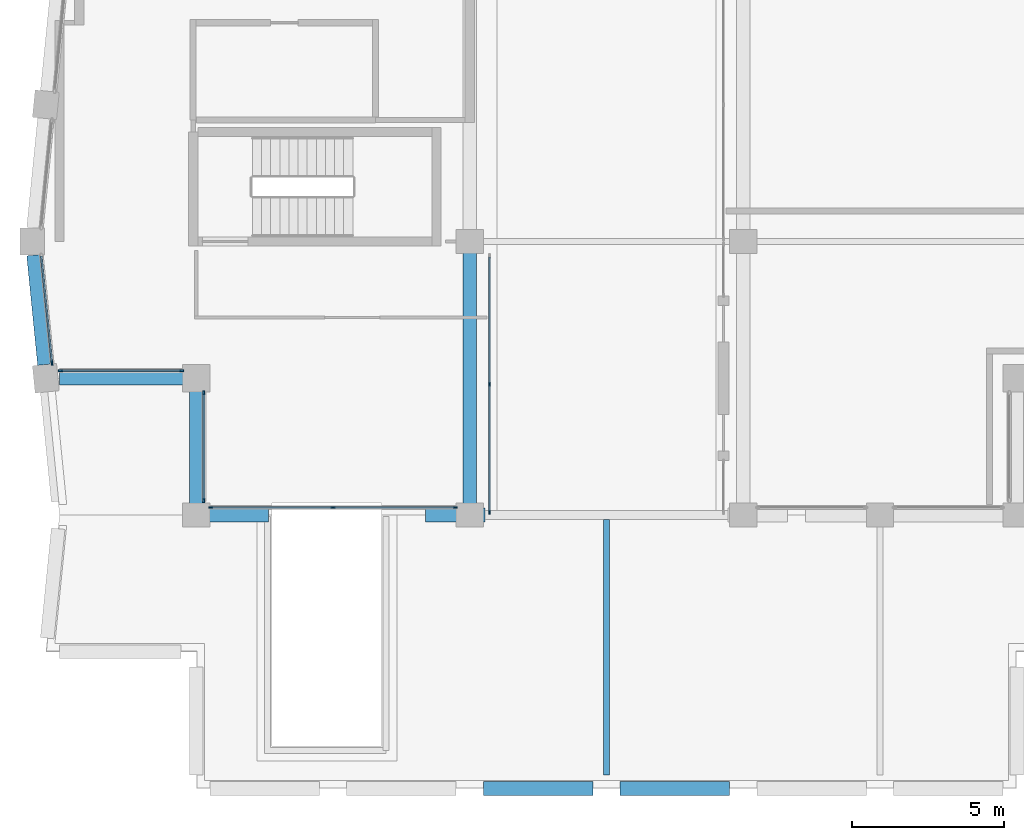
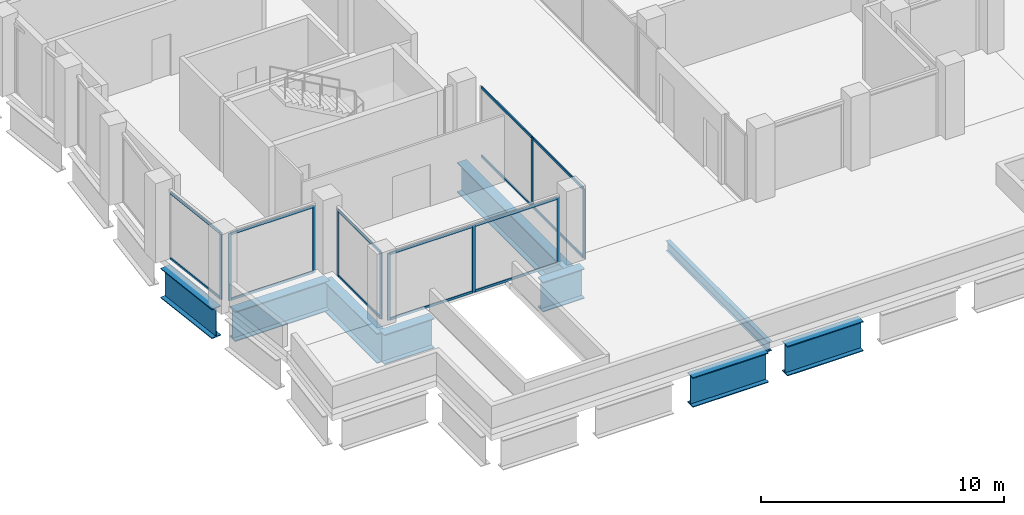
# One storey, part 2 of 14: 24 members, 9 beams, 5 elements without a shape of their own.
"""IFC4 building model written with IfcOpenShell, lengths in metres."""

from ifc_helpers import new_model, si_unit, direction, frame, origin, origin_2d, place, context, subcontext, project, spatial, rectangle, i_section, extrude, material, material_profile, profile_set, type_object, element, aggregate, save


model = new_model("IFC4")

# Units and contexts
model_context = context("Model", 3, precision=1e-05, world=origin(), true_north=direction((0.0, 1.0)))
body_context = subcontext(model_context, "Body", "Model", "MODEL_VIEW")
ifc_project = project(units=[si_unit("LENGTHUNIT", "METRE"), si_unit("AREAUNIT", "SQUARE_METRE"), si_unit("VOLUMEUNIT", "CUBIC_METRE"), si_unit("PLANEANGLEUNIT", "RADIAN"), si_unit("MASSUNIT", "GRAM", prefix="KILO")], contexts=[model_context])

# Site, building, storey
site_placement = place(None, origin())
site = spatial("IfcSite", under=ifc_project, at=site_placement, CompositionType="ELEMENT")
building_placement = place(site_placement, origin())
building = spatial("IfcBuilding", under=site, at=building_placement, Name="Brondeck Convention Tower", CompositionType="ELEMENT")
storey_placement = place(building_placement, frame((0.0, 0.0, 282.800048828125)))
storey = spatial("IfcBuildingStorey", under=building, at=storey_placement, Name="L70", CompositionType="ELEMENT", Elevation=282.800048828125)

# Curtain wall, members
ifc_material_1 = material(Name="Aluminium, bronze anodised", Category="aluminium")
curtain_wall_type = type_object("IfcCurtainWallType", Name="Crown screen curtain wall", PredefinedType="NOTDEFINED", material=ifc_material_1)
curtain_wall_1_placement = place(storey_placement, origin())
curtain_wall_1 = element("IfcCurtainWall", 1, at=curtain_wall_1_placement, inside=storey, type_object=curtain_wall_type, Name="ENV-CW4-L70-K1-K-S-02", PredefinedType="NOTDEFINED")
ifc_material_profile_1 = material_profile(ifc_material_1, rectangle(XDim=0.06005859375, YDim=0.139892578125, at=origin_2d()), Name="CW4 mullion")
ifc_profile_set_1 = profile_set([ifc_material_profile_1], Name="Aluminium, bronze anodised")
member_type_1 = type_object("IfcMemberType", Name="CW4 mullion", PredefinedType="MULLION", material=ifc_profile_set_1)
member_1_placement = place(storey_placement, frame((13.02001953125, 27.25, 0.0), z_axis=(0.0, 0.0, 1.0), x_axis=(0.0, -1.0, 0.0)))
member_1 = element("IfcMember", 2, at=member_1_placement, type_object=member_type_1, Name="CW4 mullion 1", PredefinedType="MULLION", context=body_context, shape_type="SweptSolid", body=[
    extrude(rectangle(XDim=0.06005859375, YDim=0.139892578125, at=origin_2d()), origin(), (0.0, 0.0, 1.0), 3.349853515625),
])
member_2_placement = place(storey_placement, frame((9.0, 27.25, 0.0), z_axis=(0.0, 0.0, 1.0), x_axis=(0.0, -1.0, 0.0)))
member_2 = element("IfcMember", 3, at=member_2_placement, type_object=member_type_1, Name="CW4 mullion 2", PredefinedType="MULLION", context=body_context, shape_type="SweptSolid", body=[
    extrude(rectangle(XDim=0.06005859375, YDim=0.139892578125, at=origin_2d()), origin(), (0.0, 0.0, 1.0), 3.349853515625),
])
member_3_placement = place(storey_placement, frame((4.97998046875, 27.25, 0.0), z_axis=(0.0, 0.0, 1.0), x_axis=(0.0, -1.0, 0.0)))
member_3 = element("IfcMember", 4, at=member_3_placement, type_object=member_type_1, Name="CW4 mullion 3", PredefinedType="MULLION", context=body_context, shape_type="SweptSolid", body=[
    extrude(rectangle(XDim=0.06005859375, YDim=0.139892578125, at=origin_2d()), origin(), (0.0, 0.0, 1.0), 3.349853515625),
])

curtain_wall_2_placement = place(storey_placement, origin())
curtain_wall_2 = element("IfcCurtainWall", 5, at=curtain_wall_2_placement, inside=storey, type_object=curtain_wall_type, Name="ENV-CW4-L70-K1-SLOT-W-00-2", PredefinedType="NOTDEFINED")
member_4_placement = place(storey_placement, frame((14.14990234375, 31.304931640625, 0.0), z_axis=(0.0, 0.0, 1.0), x_axis=(1.0, 0.0, 0.0)))
member_4 = element("IfcMember", 6, at=member_4_placement, type_object=member_type_1, Name="CW4 mullion 2", PredefinedType="MULLION", context=body_context, shape_type="SweptSolid", body=[
    extrude(rectangle(XDim=0.06005859375, YDim=0.139892578125, at=origin_2d()), origin(), (0.0, 0.0, 1.0), 3.5),
])
member_5_placement = place(storey_placement, frame((14.14990234375, 27.090087890625, 0.0), z_axis=(0.0, 0.0, 1.0), x_axis=(1.0, 0.0, 0.0)))
member_5 = element("IfcMember", 7, at=member_5_placement, type_object=member_type_1, Name="CW4 mullion 3", PredefinedType="MULLION", context=body_context, shape_type="SweptSolid", body=[
    extrude(rectangle(XDim=0.06005859375, YDim=0.139892578125, at=origin_2d()), origin(), (0.0, 0.0, 1.0), 3.5),
])

# Curtain wall, member
curtain_wall_3_placement = place(storey_placement, origin())
curtain_wall_3 = element("IfcCurtainWall", 8, at=curtain_wall_3_placement, inside=storey, type_object=curtain_wall_type, Name="ENV-CW4-L70-K1-B-W-06", PredefinedType="NOTDEFINED")
member_6_placement = place(storey_placement, frame((-0.2490234375, 32.00244140625, 0.0), z_axis=(0.0, 0.0, 1.0), x_axis=(-0.995035823513, -0.099517385048, 0.0)))
member_6 = element("IfcMember", 9, at=member_6_placement, type_object=member_type_1, Name="CW4 mullion 1", PredefinedType="MULLION", context=body_context, shape_type="SweptSolid", body=[
    extrude(rectangle(XDim=0.06005859375, YDim=0.139892578125, at=origin_2d()), origin(), (0.0, 0.0, 1.0), 3.349853515625),
])

# Curtain wall, members
curtain_wall_4_placement = place(storey_placement, origin())
curtain_wall_4 = element("IfcCurtainWall", 10, at=curtain_wall_4_placement, inside=storey, type_object=curtain_wall_type, Name="ENV-CW4-L70-K1-NC-KSW-01", PredefinedType="NOTDEFINED")
member_7_placement = place(storey_placement, frame((4.02001953125, 31.75, 0.0), z_axis=(0.0, 0.0, 1.0), x_axis=(0.0, -1.0, 0.0)))
member_7 = element("IfcMember", 11, at=member_7_placement, type_object=member_type_1, Name="CW4 mullion 1", PredefinedType="MULLION", context=body_context, shape_type="SweptSolid", body=[
    extrude(rectangle(XDim=0.06005859375, YDim=0.139892578125, at=origin_2d()), origin(), (0.0, 0.0, 1.0), 3.349853515625),
])
member_8_placement = place(storey_placement, frame((0.030029296875, 31.75, 0.0), z_axis=(0.0, 0.0, 1.0), x_axis=(0.0, -1.0, 0.0)))
member_8 = element("IfcMember", 12, at=member_8_placement, type_object=member_type_1, Name="CW4 mullion 2", PredefinedType="MULLION", context=body_context, shape_type="SweptSolid", body=[
    extrude(rectangle(XDim=0.06005859375, YDim=0.139892578125, at=origin_2d()), origin(), (0.0, 0.0, 1.0), 3.349853515625),
])

curtain_wall_5_placement = place(storey_placement, origin())
curtain_wall_5 = element("IfcCurtainWall", 13, at=curtain_wall_5_placement, inside=storey, type_object=curtain_wall_type, Name="ENV-CW4-L70-K1-NC-KSW-02", PredefinedType="NOTDEFINED")
member_9_placement = place(storey_placement, frame((4.75, 27.47998046875, 0.0), z_axis=(0.0, 0.0, 1.0), x_axis=(-1.0, 0.0, 0.0)))
member_9 = element("IfcMember", 14, at=member_9_placement, type_object=member_type_1, Name="CW4 mullion 1", PredefinedType="MULLION", context=body_context, shape_type="SweptSolid", body=[
    extrude(rectangle(XDim=0.06005859375, YDim=0.139892578125, at=origin_2d()), origin(), (0.0, 0.0, 1.0), 3.349853515625),
])
member_10_placement = place(storey_placement, frame((4.75, 31.02001953125, 0.0), z_axis=(0.0, 0.0, 1.0), x_axis=(-1.0, 0.0, 0.0)))
member_10 = element("IfcMember", 15, at=member_10_placement, type_object=member_type_1, Name="CW4 mullion 2", PredefinedType="MULLION", context=body_context, shape_type="SweptSolid", body=[
    extrude(rectangle(XDim=0.06005859375, YDim=0.139892578125, at=origin_2d()), origin(), (0.0, 0.0, 1.0), 3.349853515625),
])

# Member
ifc_material_profile_2 = material_profile(ifc_material_1, rectangle(XDim=0.06005859375, YDim=0.1201171875, at=origin_2d()), Name="CW4 transom")
ifc_profile_set_2 = profile_set([ifc_material_profile_2], Name="Aluminium, bronze anodised")
member_type_2 = type_object("IfcMemberType", Name="CW4 transom", PredefinedType="USERDEFINED", material=ifc_profile_set_2)
member_11_placement = place(storey_placement, frame((12.989990234375, 27.25, 0.030029296875), z_axis=(-1.0, 0.0, 0.0), x_axis=(0.0, -1.0, 0.0)))
member_11 = element("IfcMember", 16, at=member_11_placement, type_object=member_type_2, Name="CW4 transom 1.1", ObjectType="TRANSOM", PredefinedType="USERDEFINED", context=body_context, shape_type="SweptSolid", body=[
    extrude(rectangle(XDim=0.06005859375, YDim=0.1201171875, at=origin_2d()), origin(), (0.0, 0.0, 1.0), 3.9599609375),
])

member_12_placement = place(storey_placement, frame((12.989990234375, 27.25, 3.320068359375), z_axis=(-1.0, 0.0, 0.0), x_axis=(0.0, -1.0, 0.0)))
member_12 = element("IfcMember", 17, at=member_12_placement, type_object=member_type_2, Name="CW4 transom 1.2", ObjectType="TRANSOM", PredefinedType="USERDEFINED", context=body_context, shape_type="SweptSolid", body=[
    extrude(rectangle(XDim=0.06005859375, YDim=0.1201171875, at=origin_2d()), origin(), (0.0, 0.0, 1.0), 3.9599609375),
])

member_13_placement = place(storey_placement, frame((8.969970703125, 27.25, 0.030029296875), z_axis=(-1.0, 0.0, 0.0), x_axis=(0.0, -1.0, 0.0)))
member_13 = element("IfcMember", 18, at=member_13_placement, type_object=member_type_2, Name="CW4 transom 2.1", ObjectType="TRANSOM", PredefinedType="USERDEFINED", context=body_context, shape_type="SweptSolid", body=[
    extrude(rectangle(XDim=0.06005859375, YDim=0.1201171875, at=origin_2d()), origin(), (0.0, 0.0, 1.0), 3.9599609375),
])

member_14_placement = place(storey_placement, frame((8.969970703125, 27.25, 3.320068359375), z_axis=(-1.0, 0.0, 0.0), x_axis=(0.0, -1.0, 0.0)))
member_14 = element("IfcMember", 19, at=member_14_placement, type_object=member_type_2, Name="CW4 transom 2.2", ObjectType="TRANSOM", PredefinedType="USERDEFINED", context=body_context, shape_type="SweptSolid", body=[
    extrude(rectangle(XDim=0.06005859375, YDim=0.1201171875, at=origin_2d()), origin(), (0.0, 0.0, 1.0), 3.9599609375),
])

aggregate(curtain_wall_1, [member_1, member_2, member_3, member_11, member_12, member_13, member_14])

member_15_placement = place(storey_placement, frame((14.14990234375, 35.489990234375, 0.030029296875), z_axis=(0.0, -1.0, 0.0), x_axis=(1.0, 0.0, 0.0)))
member_15 = element("IfcMember", 20, at=member_15_placement, type_object=member_type_2, Name="CW4 transom 1.1", ObjectType="TRANSOM", PredefinedType="USERDEFINED", context=body_context, shape_type="SweptSolid", body=[
    extrude(rectangle(XDim=0.06005859375, YDim=0.1201171875, at=origin_2d()), origin(), (0.0, 0.0, 1.0), 4.155029296875),
])

member_16_placement = place(storey_placement, frame((14.14990234375, 35.489990234375, 3.469970703125), z_axis=(0.0, -1.0, 0.0), x_axis=(1.0, 0.0, 0.0)))
member_16 = element("IfcMember", 21, at=member_16_placement, type_object=member_type_2, Name="CW4 transom 1.2", ObjectType="TRANSOM", PredefinedType="USERDEFINED", context=body_context, shape_type="SweptSolid", body=[
    extrude(rectangle(XDim=0.06005859375, YDim=0.1201171875, at=origin_2d()), origin(), (0.0, 0.0, 1.0), 4.155029296875),
])

member_17_placement = place(storey_placement, frame((14.14990234375, 31.27490234375, 0.030029296875), z_axis=(0.0, -1.0, 0.0), x_axis=(1.0, 0.0, 0.0)))
member_17 = element("IfcMember", 22, at=member_17_placement, type_object=member_type_2, Name="CW4 transom 2.1", ObjectType="TRANSOM", PredefinedType="USERDEFINED", context=body_context, shape_type="SweptSolid", body=[
    extrude(rectangle(XDim=0.06005859375, YDim=0.1201171875, at=origin_2d()), origin(), (0.0, 0.0, 1.0), 4.15478515625),
])

member_18_placement = place(storey_placement, frame((14.14990234375, 31.27490234375, 3.469970703125), z_axis=(0.0, -1.0, 0.0), x_axis=(1.0, 0.0, 0.0)))
member_18 = element("IfcMember", 23, at=member_18_placement, type_object=member_type_2, Name="CW4 transom 2.2", ObjectType="TRANSOM", PredefinedType="USERDEFINED", context=body_context, shape_type="SweptSolid", body=[
    extrude(rectangle(XDim=0.06005859375, YDim=0.1201171875, at=origin_2d()), origin(), (0.0, 0.0, 1.0), 4.15478515625),
])

aggregate(curtain_wall_2, [member_4, member_5, member_15, member_16, member_17, member_18])

member_19_placement = place(storey_placement, frame((-0.251953125, 32.0322265625, 0.030029296875), z_axis=(-0.099538226209, 0.995033738887, 0.0), x_axis=(-0.995033738887, -0.099538226209, 0.0)))
member_19 = element("IfcMember", 24, at=member_19_placement, type_object=member_type_2, Name="CW4 transom 1.1", ObjectType="TRANSOM", PredefinedType="USERDEFINED", context=body_context, shape_type="SweptSolid", body=[
    extrude(rectangle(XDim=0.06005859375, YDim=0.1201171875, at=origin_2d()), origin(), (0.0, 0.0, 1.0), 3.50244140625),
])

member_20_placement = place(storey_placement, frame((-0.251953125, 32.0322265625, 3.320068359375), z_axis=(-0.099538226209, 0.995033738887, 0.0), x_axis=(-0.995033738887, -0.099538226209, 0.0)))
member_20 = element("IfcMember", 25, at=member_20_placement, type_object=member_type_2, Name="CW4 transom 1.2", ObjectType="TRANSOM", PredefinedType="USERDEFINED", context=body_context, shape_type="SweptSolid", body=[
    extrude(rectangle(XDim=0.06005859375, YDim=0.1201171875, at=origin_2d()), origin(), (0.0, 0.0, 1.0), 3.50244140625),
])

aggregate(curtain_wall_3, [member_6, member_19, member_20])

member_21_placement = place(storey_placement, frame((3.989990234375, 31.75, 0.030029296875), z_axis=(-1.0, 0.0, 0.0), x_axis=(0.0, -1.0, 0.0)))
member_21 = element("IfcMember", 26, at=member_21_placement, type_object=member_type_2, Name="CW4 transom 1.1", ObjectType="TRANSOM", PredefinedType="USERDEFINED", context=body_context, shape_type="SweptSolid", body=[
    extrude(rectangle(XDim=0.06005859375, YDim=0.1201171875, at=origin_2d()), origin(), (0.0, 0.0, 1.0), 3.929931640625),
])

member_22_placement = place(storey_placement, frame((3.989990234375, 31.75, 3.320068359375), z_axis=(-1.0, 0.0, 0.0), x_axis=(0.0, -1.0, 0.0)))
member_22 = element("IfcMember", 27, at=member_22_placement, type_object=member_type_2, Name="CW4 transom 1.2", ObjectType="TRANSOM", PredefinedType="USERDEFINED", context=body_context, shape_type="SweptSolid", body=[
    extrude(rectangle(XDim=0.06005859375, YDim=0.1201171875, at=origin_2d()), origin(), (0.0, 0.0, 1.0), 3.929931640625),
])

aggregate(curtain_wall_4, [member_7, member_8, member_21, member_22])

member_23_placement = place(storey_placement, frame((4.75, 27.510009765625, 0.030029296875), z_axis=(0.0, 1.0, 0.0), x_axis=(-1.0, 0.0, 0.0)))
member_23 = element("IfcMember", 28, at=member_23_placement, type_object=member_type_2, Name="CW4 transom 1.1", ObjectType="TRANSOM", PredefinedType="USERDEFINED", context=body_context, shape_type="SweptSolid", body=[
    extrude(rectangle(XDim=0.06005859375, YDim=0.1201171875, at=origin_2d()), origin(), (0.0, 0.0, 1.0), 3.47998046875),
])

member_24_placement = place(storey_placement, frame((4.75, 27.510009765625, 3.320068359375), z_axis=(0.0, 1.0, 0.0), x_axis=(-1.0, 0.0, 0.0)))
member_24 = element("IfcMember", 29, at=member_24_placement, type_object=member_type_2, Name="CW4 transom 1.2", ObjectType="TRANSOM", PredefinedType="USERDEFINED", context=body_context, shape_type="SweptSolid", body=[
    extrude(rectangle(XDim=0.06005859375, YDim=0.1201171875, at=origin_2d()), origin(), (0.0, 0.0, 1.0), 3.47998046875),
])

aggregate(curtain_wall_5, [member_9, member_10, member_23, member_24])

# Beams
ifc_material_2 = material(Name="Steel S355", Category="steel")
ifc_material_profile_3 = material_profile(ifc_material_2, i_section(OverallWidth=0.199951171875, OverallDepth=0.5, WebThickness=0.01025390625, FlangeThickness=0.01611328125, FilletRadius=0.02099609375, at=origin_2d()), Name="IPE 500")
ifc_profile_set_3 = profile_set([ifc_material_profile_3], Name="Steel S355")
beam_type_1 = type_object("IfcBeamType", Name="Crown frame Floor beam IPE 500", PredefinedType="BEAM", material=ifc_profile_set_3)
beam_1_placement = place(storey_placement, frame((18.0, 18.449951171875, -0.550048828125), z_axis=(0.0, 1.0, 0.0), x_axis=(-1.0, 0.0, 0.0)))
element("IfcBeam", 30, at=beam_1_placement, inside=storey, type_object=beam_type_1, Name="STR-FB-L70-S4-B-001", PredefinedType="BEAM", context=body_context, shape_type="SweptSolid", body=[
    extrude(i_section(OverallWidth=0.199951171875, OverallDepth=0.5, WebThickness=0.01025390625, FlangeThickness=0.01611328125, FilletRadius=0.02099609375, at=origin_2d()), origin(), (0.0, 0.0, 1.0), 8.400146484375),
])
ifc_material_3 = material(Name="Steel S460", Category="steel")
ifc_material_profile_4 = material_profile(ifc_material_3, i_section(OverallWidth=0.449951171875, OverallDepth=1.5, WebThickness=0.02490234375, FlangeThickness=0.044921875, at=origin_2d()), Name="PG 1500x450")
ifc_profile_set_4 = profile_set([ifc_material_profile_4], Name="Steel S460")
beam_type_2 = type_object("IfcBeamType", Name="Crown frame Transfer girder PG 1500x450", PredefinedType="BEAM", material=ifc_profile_set_4)
beam_2_placement = place(storey_placement, frame((-0.85498046875, 35.550048828125, -1.050048828125), z_axis=(0.099470334057, -0.995040528141, 0.0), x_axis=(0.995040528141, 0.099470334057, 0.0)))
element("IfcBeam", 31, at=beam_2_placement, inside=storey, type_object=beam_type_2, Name="Crown transfer girder PG-L70K1-1", PredefinedType="BEAM", context=body_context, shape_type="SweptSolid", body=[
    extrude(i_section(OverallWidth=0.449951171875, OverallDepth=1.5, WebThickness=0.02490234375, FlangeThickness=0.044921875, at=origin_2d()), origin(), (0.0, 0.0, 1.0), 3.620361328125),
])
beam_3_placement = place(storey_placement, frame((0.002197265625, 31.5, -1.050048828125), z_axis=(1.0, 0.0, 0.0), x_axis=(0.0, 1.0, 0.0)))
element("IfcBeam", 32, at=beam_3_placement, inside=storey, type_object=beam_type_2, Name="Crown transfer girder PG-L70K1-2", PredefinedType="BEAM", context=body_context, shape_type="SweptSolid", body=[
    extrude(i_section(OverallWidth=0.449951171875, OverallDepth=1.5, WebThickness=0.02490234375, FlangeThickness=0.044921875, at=origin_2d()), origin(), (0.0, 0.0, 1.0), 4.497802734375),
])
beam_4_placement = place(storey_placement, frame((4.5, 31.5, -1.050048828125), z_axis=(0.0, -1.0, 0.0), x_axis=(1.0, 0.0, 0.0)))
element("IfcBeam", 33, at=beam_4_placement, inside=storey, type_object=beam_type_2, Name="Crown transfer girder PG-L70K1-3", PredefinedType="BEAM", context=body_context, shape_type="SweptSolid", body=[
    extrude(i_section(OverallWidth=0.449951171875, OverallDepth=1.5, WebThickness=0.02490234375, FlangeThickness=0.044921875, at=origin_2d()), origin(), (0.0, 0.0, 1.0), 4.5),
])
beam_5_placement = place(storey_placement, frame((4.5, 27.0, -1.050048828125), z_axis=(1.0, 0.0, 0.0), x_axis=(0.0, 1.0, 0.0)))
element("IfcBeam", 34, at=beam_5_placement, inside=storey, type_object=beam_type_2, Name="Crown transfer girder PG-L70K1-4", PredefinedType="BEAM", context=body_context, shape_type="SweptSolid", body=[
    extrude(i_section(OverallWidth=0.449951171875, OverallDepth=1.5, WebThickness=0.02490234375, FlangeThickness=0.044921875, at=origin_2d()), origin(), (0.0, 0.0, 1.0), 2.3798828125),
])
beam_6_placement = place(storey_placement, frame((12.0400390625, 27.0, -1.050048828125), z_axis=(1.0, 0.0, 0.0), x_axis=(0.0, 1.0, 0.0)))
element("IfcBeam", 35, at=beam_6_placement, inside=storey, type_object=beam_type_2, Name="Crown transfer girder PG-L70K1-5", PredefinedType="BEAM", context=body_context, shape_type="SweptSolid", body=[
    extrude(i_section(OverallWidth=0.449951171875, OverallDepth=1.5, WebThickness=0.02490234375, FlangeThickness=0.044921875, at=origin_2d()), origin(), (0.0, 0.0, 1.0), 1.969970703125),
])
beam_7_placement = place(storey_placement, frame((13.5, 27.0, -1.050048828125), z_axis=(0.0, 1.0, 0.0), x_axis=(-1.0, 0.0, 0.0)))
element("IfcBeam", 36, at=beam_7_placement, inside=storey, type_object=beam_type_2, Name="Crown transfer girder PG-L70K1-6", PredefinedType="BEAM", context=body_context, shape_type="SweptSolid", body=[
    extrude(i_section(OverallWidth=0.449951171875, OverallDepth=1.5, WebThickness=0.02490234375, FlangeThickness=0.044921875, at=origin_2d()), origin(), (0.0, 0.0, 1.0), 9.0),
])
for number, where, z_axis, x_axis, name in (
    (37, (22.050048828125, 18.0, -1.050048828125), (-1.0, 0.0, 0.0), (0.0, -1.0, 0.0), "Crown transfer girder PG-L70-S4-B-6"),
    (38, (17.550048828125, 18.0, -1.050048828125), (-1.0, 0.0, 0.0), (0.0, -1.0, 0.0), "Crown transfer girder PG-L70-S4-B-7"),
):
    element("IfcBeam", number, at=place(storey_placement, frame(where, z_axis=z_axis, x_axis=x_axis)), inside=storey, type_object=beam_type_2, Name=name, PredefinedType="BEAM", context=body_context, shape_type="SweptSolid", body=[
        extrude(i_section(OverallWidth=0.449951171875, OverallDepth=1.5, WebThickness=0.02490234375, FlangeThickness=0.044921875, at=origin_2d()), origin(), (0.0, 0.0, 1.0), 3.60009765625),
    ])

save(model, "model.ifc")
